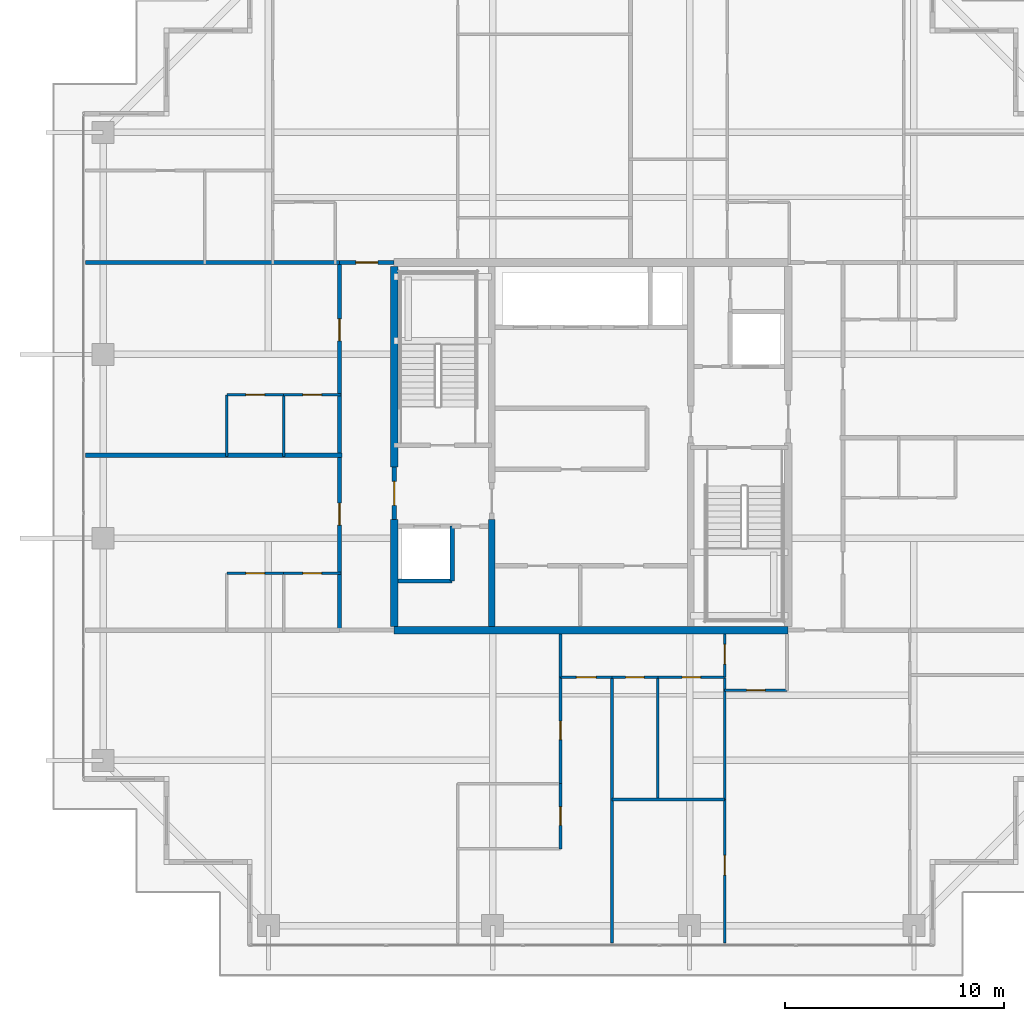
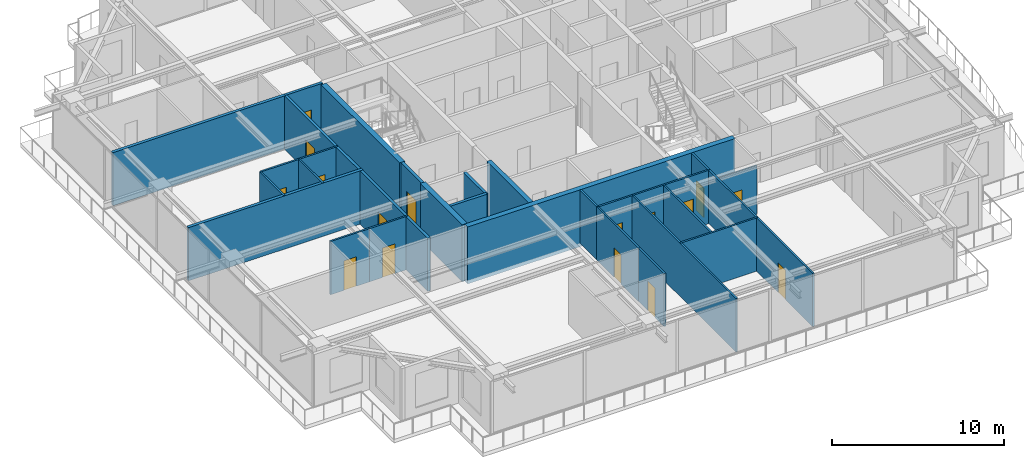
# One storey, part 28 of 39: 30 walls, 16 doors, 16 openings.
"""IFC4 building model written with IfcOpenShell, lengths in metres."""

from ifc_helpers import new_model, si_unit, direction, frame, frame_2d, origin, place, context, subcontext, project, spatial, rectangle, extrude, source, transform, mapped, material, layer, layer_set, type_object, element, fill, save


model = new_model("IFC4")

# Units and contexts
model_context = context("Model", 3, precision=1e-05, world=origin(), true_north=direction((0.0, 1.0)))
body_context = subcontext(model_context, "Body", "Model", "MODEL_VIEW")
ifc_project = project(units=[si_unit("LENGTHUNIT", "METRE"), si_unit("AREAUNIT", "SQUARE_METRE"), si_unit("VOLUMEUNIT", "CUBIC_METRE"), si_unit("PLANEANGLEUNIT", "RADIAN"), si_unit("MASSUNIT", "GRAM", prefix="KILO")], contexts=[model_context])

# Site, building, storey
site_placement = place(None, origin())
site = spatial("IfcSite", under=ifc_project, at=site_placement, CompositionType="ELEMENT")
building_placement = place(site_placement, origin())
building = spatial("IfcBuilding", under=site, at=building_placement, Name="Serunith Strait Residences", CompositionType="ELEMENT")
storey_placement = place(building_placement, frame((0.0, 0.0, 329.89990234375)))
storey = spatial("IfcBuildingStorey", under=building, at=storey_placement, Name="L82", CompositionType="ELEMENT", Elevation=329.89990234375)

# Wall, opening, door
ifc_material_1 = material(Name="Fire-rated acoustic gypsum partition")
ifc_layer_1 = layer(ifc_material_1, 0.179931640625, Name="Fire-rated acoustic gypsum partition")
ifc_layer_set_1 = layer_set([ifc_layer_1], Name="Fire-rated acoustic gypsum partition")
wall_type_1 = type_object("IfcWallType", Name="IW-CORR-180", PredefinedType="PARTITIONING", material=ifc_layer_set_1)
wall_1_placement = place(storey_placement, frame((20.902099609375, 33.60009765625, 0.0), z_axis=(0.0, 0.0, 1.0), x_axis=(1.0, 0.0, 0.0)))
wall_1 = element("IfcWall", 1, at=wall_1_placement, inside=storey, type_object=wall_type_1, Name="L82 Partition Wall 026", PredefinedType="PARTITIONING", context=body_context, shape_type="SweptSolid", body=[
    extrude(rectangle(XDim=2.495849609375, YDim=0.179931640625, at=frame_2d((1.248046875, 0.0))), origin(), (0.0, 0.0, 1.0), 3.7900390625),
])
opening_1_placement = place(wall_1_placement, frame((0.748046875, 0.0, 0.0)))
opening_1 = element("IfcOpeningElement", 2, at=opening_1_placement, cuts=wall_1, Name="Opening D-APT1000", PredefinedType="OPENING", context=body_context, shape_type="SweptSolid", body=[
    extrude(rectangle(XDim=1.0, YDim=2.14990234375, at=frame_2d((0.5, 1.074951171875))), frame((0.0, 0.10009765625, 0.0), z_axis=(0.0, -1.0, 0.0), x_axis=(1.0, 0.0, 0.0)), (0.0, 0.0, 1.0), 0.199951171875),
])
ifc_material_2 = material(Name="Solid timber engineered fire door", Category="wood")
door_type_1 = type_object("IfcDoorType", Name="ID-APT-1000", OperationType="NOTDEFINED", PredefinedType="DOOR", material=ifc_material_2)
shared_shape_1 = source(origin(), body_context, "Body", "SweptSolid", [
    extrude(rectangle(XDim=1.0, YDim=2.14990234375, at=frame_2d((0.5, 1.074951171875))), frame((0.0, 0.02490234375, 0.0), z_axis=(0.0, -1.0, 0.0), x_axis=(1.0, 0.0, 0.0)), (0.0, 0.0, 1.0), 0.050048828125),
])
door_1_placement = place(opening_1_placement, origin())
door_1 = element("IfcDoor", 3, at=door_1_placement, inside=storey, type_object=door_type_1, Name="L82 Unit 02 Entrance Door", OperationType="SINGLE_SWING_LEFT", OverallHeight=2.14990234375, OverallWidth=1.0, PredefinedType="DOOR", context=body_context, shape_type="MappedRepresentation", body=[
    mapped(shared_shape_1, transform((0.0, 0.0, 0.0), scale=1.0)),
])
fill(opening_1, door_1)

# Wall, openings, doors
wall_2_placement = place(storey_placement, frame((20.89990234375, 16.800048828125, 0.0), z_axis=(0.0, 0.0, 1.0), x_axis=(0.0, 1.0, 0.0)))
wall_2 = element("IfcWall", 4, at=wall_2_placement, inside=storey, type_object=wall_type_1, Name="L82 Partition Wall 027", PredefinedType="PARTITIONING", context=body_context, shape_type="SweptSolid", body=[
    extrude(rectangle(XDim=16.800048828125, YDim=0.179931640625, at=frame_2d((8.39990234375, 0.0))), origin(), (0.0, 0.0, 1.0), 3.7900390625),
])
opening_2_placement = place(wall_2_placement, frame((4.802978515625, 0.0, 0.0)))
opening_2 = element("IfcOpeningElement", 5, at=opening_2_placement, cuts=wall_2, Name="Opening D-APT1000", PredefinedType="OPENING", context=body_context, shape_type="SweptSolid", body=[
    extrude(rectangle(XDim=1.0, YDim=2.14990234375, at=frame_2d((0.5, 1.074951171875))), frame((0.0, 0.10009765625, 0.0), z_axis=(0.0, -1.0, 0.0), x_axis=(1.0, 0.0, 0.0)), (0.0, 0.0, 1.0), 0.199951171875),
])
opening_3_placement = place(wall_2_placement, frame((13.22509765625, 0.0, 0.0)))
opening_3 = element("IfcOpeningElement", 6, at=opening_3_placement, cuts=wall_2, Name="Opening D-APT1000", PredefinedType="OPENING", context=body_context, shape_type="SweptSolid", body=[
    extrude(rectangle(XDim=1.0, YDim=2.14990234375, at=frame_2d((0.5, 1.074951171875))), frame((0.0, 0.10009765625, 0.0), z_axis=(0.0, -1.0, 0.0), x_axis=(1.0, 0.0, 0.0)), (0.0, 0.0, 1.0), 0.199951171875),
])
door_2_placement = place(opening_2_placement, origin())
door_2 = element("IfcDoor", 7, at=door_2_placement, inside=storey, type_object=door_type_1, Name="L82 Unit 04 Entrance Door", OperationType="SINGLE_SWING_RIGHT", OverallHeight=2.14990234375, OverallWidth=1.0, PredefinedType="DOOR", context=body_context, shape_type="MappedRepresentation", body=[
    mapped(shared_shape_1, transform((0.0, 0.0, 0.0), scale=1.0)),
])
fill(opening_2, door_2)
door_3_placement = place(opening_3_placement, origin())
door_3 = element("IfcDoor", 8, at=door_3_placement, inside=storey, type_object=door_type_1, Name="L82 Unit 05 Entrance Door", OperationType="SINGLE_SWING_LEFT", OverallHeight=2.14990234375, OverallWidth=1.0, PredefinedType="DOOR", context=body_context, shape_type="MappedRepresentation", body=[
    mapped(shared_shape_1, transform((0.0, 0.0, 0.0), scale=1.0)),
])
fill(opening_3, door_3)

# Wall, opening, door
ifc_material_3 = material(Name="Lightweight steel-stud gypsum partition", Category="steel")
ifc_layer_2 = layer(ifc_material_3, 0.1201171875, Name="Lightweight steel-stud gypsum partition")
ifc_layer_set_2 = layer_set([ifc_layer_2], Name="Lightweight steel-stud gypsum partition")
wall_type_2 = type_object("IfcWallType", Name="IW-PART-120", PredefinedType="PARTITIONING", material=ifc_layer_set_2)
wall_3_placement = place(storey_placement, frame((38.5, 14.050048828125, 0.0), z_axis=(0.0, 0.0, 1.0), x_axis=(1.0, 0.0, 0.0)))
wall_3 = element("IfcWall", 9, at=wall_3_placement, inside=storey, type_object=wall_type_2, Name="L82 Partition Wall 031", PredefinedType="PARTITIONING", context=body_context, shape_type="SweptSolid", body=[
    extrude(rectangle(XDim=2.85009765625, YDim=0.1201171875, at=frame_2d((1.425048828125, 0.0))), origin(), (0.0, 0.0, 1.0), 3.47216796875),
])
opening_4_placement = place(wall_3_placement, frame((1.0, 0.0, 0.0)))
opening_4 = element("IfcOpeningElement", 10, at=opening_4_placement, cuts=wall_3, Name="Opening D-RM850", PredefinedType="OPENING", context=body_context, shape_type="SweptSolid", body=[
    extrude(rectangle(XDim=0.85009765625, YDim=2.10009765625, at=frame_2d((0.425048828125, 1.050048828125))), frame((0.0, 0.070068359375, 0.0), z_axis=(0.0, -1.0, 0.0), x_axis=(1.0, 0.0, 0.0)), (0.0, 0.0, 1.0), 0.14013671875),
])
ifc_material_4 = material(Name="Engineered timber flush study and kitchen door", Category="wood")
door_type_2 = type_object("IfcDoorType", Name="ID-ROOM-850", OperationType="NOTDEFINED", PredefinedType="DOOR", material=ifc_material_4)
shared_shape_2 = source(origin(), body_context, "Body", "SweptSolid", [
    extrude(rectangle(XDim=0.85009765625, YDim=2.10009765625, at=frame_2d((0.425048828125, 1.050048828125))), frame((0.0, 0.02490234375, 0.0), z_axis=(0.0, -1.0, 0.0), x_axis=(1.0, 0.0, 0.0)), (0.0, 0.0, 1.0), 0.050048828125),
])
door_4_placement = place(opening_4_placement, origin())
door_4 = element("IfcDoor", 11, at=door_4_placement, inside=storey, type_object=door_type_2, Name="L82 Kitchen 8201 Door", OperationType="SINGLE_SWING_RIGHT", OverallHeight=2.10009765625, OverallWidth=0.85009765625, PredefinedType="DOOR", context=body_context, shape_type="MappedRepresentation", body=[
    mapped(shared_shape_2, transform((0.0, 0.0, 0.0), scale=1.0)),
])
fill(opening_4, door_4)

wall_4_placement = place(storey_placement, frame((38.5, 14.64990234375, 0.0), z_axis=(0.0, 0.0, 1.0), x_axis=(0.0, 1.0, 0.0)))
wall_4 = element("IfcWall", 12, at=wall_4_placement, inside=storey, type_object=wall_type_2, Name="L82 Partition Wall 033", PredefinedType="PARTITIONING", context=body_context, shape_type="SweptSolid", body=[
    extrude(rectangle(XDim=1.97509765625, YDim=0.1201171875, at=frame_2d((0.987548828125, 0.0))), origin(), (0.0, 0.0, 1.0), 3.7900390625),
])
opening_5_placement = place(wall_4_placement, frame((0.60107421875, 0.0, 0.0)))
opening_5 = element("IfcOpeningElement", 13, at=opening_5_placement, cuts=wall_4, Name="Opening D-RM900", PredefinedType="OPENING", context=body_context, shape_type="SweptSolid", body=[
    extrude(rectangle(XDim=0.89990234375, YDim=2.10009765625, at=frame_2d((0.449951171875, 1.050048828125))), frame((0.0, 0.070068359375, 0.0), z_axis=(0.0, -1.0, 0.0), x_axis=(1.0, 0.0, 0.0)), (0.0, 0.0, 1.0), 0.14013671875),
])
ifc_material_5 = material(Name="Engineered timber flush bedroom door", Category="wood")
door_type_3 = type_object("IfcDoorType", Name="ID-ROOM-900", OperationType="NOTDEFINED", PredefinedType="DOOR", material=ifc_material_5)
shared_shape_3 = source(origin(), body_context, "Body", "SweptSolid", [
    extrude(rectangle(XDim=0.89990234375, YDim=2.10009765625, at=frame_2d((0.449951171875, 1.050048828125))), frame((0.0, 0.02490234375, 0.0), z_axis=(0.0, -1.0, 0.0), x_axis=(1.0, 0.0, 0.0)), (0.0, 0.0, 1.0), 0.050048828125),
])
door_5_placement = place(opening_5_placement, origin())
door_5 = element("IfcDoor", 14, at=door_5_placement, inside=storey, type_object=door_type_3, Name="L82 Hall W 8201 Door", OperationType="SINGLE_SWING_LEFT", OverallHeight=2.10009765625, OverallWidth=0.89990234375, PredefinedType="DOOR", context=body_context, shape_type="MappedRepresentation", body=[
    mapped(shared_shape_3, transform((0.0, 0.0, 0.0), scale=1.0)),
])
fill(opening_5, door_5)

wall_5_placement = place(storey_placement, frame((38.5, 2.4951171875, 0.0), z_axis=(0.0, 0.0, 1.0), x_axis=(0.0, 1.0, 0.0)))
wall_5 = element("IfcWall", 15, at=wall_5_placement, inside=storey, type_object=wall_type_2, Name="L82 Partition Wall 034", PredefinedType="PARTITIONING", context=body_context, shape_type="SweptSolid", body=[
    extrude(rectangle(XDim=6.56787109375, YDim=0.1201171875, at=frame_2d((3.283935546875, 0.0))), origin(), (0.0, 0.0, 1.0), 3.7900390625),
])
opening_6_placement = place(wall_5_placement, frame((3.116943359375, 0.0, 0.0)))
opening_6 = element("IfcOpeningElement", 16, at=opening_6_placement, cuts=wall_5, Name="Opening D-RM900", PredefinedType="OPENING", context=body_context, shape_type="SweptSolid", body=[
    extrude(rectangle(XDim=0.89990234375, YDim=2.10009765625, at=frame_2d((0.449951171875, 1.050048828125))), frame((0.0, 0.070068359375, 0.0), z_axis=(0.0, -1.0, 0.0), x_axis=(1.0, 0.0, 0.0)), (0.0, 0.0, 1.0), 0.14013671875),
])
door_6_placement = place(opening_6_placement, origin())
door_6 = element("IfcDoor", 17, at=door_6_placement, inside=storey, type_object=door_type_3, Name="L82 Formal Dining Room 1 8201 Door", OperationType="SINGLE_SWING_RIGHT", OverallHeight=2.10009765625, OverallWidth=0.89990234375, PredefinedType="DOOR", context=body_context, shape_type="MappedRepresentation", body=[
    mapped(shared_shape_3, transform((0.0, 0.0, 0.0), scale=1.0)),
])
fill(opening_6, door_6)

# Walls
wall_6_placement = place(storey_placement, frame((38.5, 9.06494140625, 0.0), z_axis=(0.0, 0.0, 1.0), x_axis=(0.0, 1.0, 0.0)))
element("IfcWall", 18, at=wall_6_placement, inside=storey, type_object=wall_type_2, Name="L82 Partition Wall 035", PredefinedType="PARTITIONING", context=body_context, shape_type="SweptSolid", body=[
    extrude(rectangle(XDim=5.5830078125, YDim=0.1201171875, at=frame_2d((2.79150390625, 0.0))), origin(), (0.0, 0.0, 1.0), 3.7900390625),
])
wall_7_placement = place(storey_placement, frame((33.35009765625, 9.06298828125, 0.0), z_axis=(0.0, 0.0, 1.0), x_axis=(1.0, 0.0, 0.0)))
element("IfcWall", 19, at=wall_7_placement, inside=storey, type_object=wall_type_2, Name="L82 Partition Wall 036", PredefinedType="PARTITIONING", context=body_context, shape_type="SweptSolid", body=[
    extrude(rectangle(XDim=5.14990234375, YDim=0.1201171875, at=frame_2d((2.574951171875, 0.0))), origin(), (0.0, 0.0, 1.0), 3.7900390625),
])
wall_8_placement = place(storey_placement, frame((33.35009765625, 2.4951171875, 0.0), z_axis=(0.0, 0.0, 1.0), x_axis=(0.0, 1.0, 0.0)))
element("IfcWall", 20, at=wall_8_placement, inside=storey, type_object=wall_type_2, Name="L82 Partition Wall 037", PredefinedType="PARTITIONING", context=body_context, shape_type="SweptSolid", body=[
    extrude(rectangle(XDim=12.15478515625, YDim=0.1201171875, at=frame_2d((6.077392578125, 0.0))), origin(), (0.0, 0.0, 1.0), 3.7900390625),
])
wall_9_placement = place(storey_placement, frame((35.449951171875, 9.06298828125, 0.0), z_axis=(0.0, 0.0, 1.0), x_axis=(0.0, 1.0, 0.0)))
element("IfcWall", 21, at=wall_9_placement, inside=storey, type_object=wall_type_2, Name="L82 Partition Wall 038", PredefinedType="PARTITIONING", context=body_context, shape_type="SweptSolid", body=[
    extrude(rectangle(XDim=5.5869140625, YDim=0.1201171875, at=frame_2d((2.79345703125, 0.0))), origin(), (0.0, 0.0, 1.0), 3.7900390625),
])

# Wall, opening, door
wall_10_placement = place(storey_placement, frame((33.35009765625, 14.64990234375, 0.0), z_axis=(0.0, 0.0, 1.0), x_axis=(1.0, 0.0, 0.0)))
wall_10 = element("IfcWall", 22, at=wall_10_placement, inside=storey, type_object=wall_type_2, Name="L82 Partition Wall 039", PredefinedType="PARTITIONING", context=body_context, shape_type="SweptSolid", body=[
    extrude(rectangle(XDim=2.099853515625, YDim=0.1201171875, at=frame_2d((1.0498046875, 0.0))), origin(), (0.0, 0.0, 1.0), 3.7900390625),
])
opening_7_placement = place(wall_10_placement, frame((0.625, 0.0, 0.0)))
opening_7 = element("IfcOpeningElement", 23, at=opening_7_placement, cuts=wall_10, Name="Opening D-BTH850", PredefinedType="OPENING", context=body_context, shape_type="SweptSolid", body=[
    extrude(rectangle(XDim=0.85009765625, YDim=2.10009765625, at=frame_2d((0.425048828125, 1.050048828125))), frame((0.0, 0.070068359375, 0.0), z_axis=(0.0, -1.0, 0.0), x_axis=(1.0, 0.0, 0.0)), (0.0, 0.0, 1.0), 0.14013671875),
])
ifc_material_6 = material(Name="Moisture-resistant timber bathroom door", Category="wood")
door_type_4 = type_object("IfcDoorType", Name="ID-BATH-850", OperationType="NOTDEFINED", PredefinedType="DOOR", material=ifc_material_6)
door_7_placement = place(opening_7_placement, origin())
door_7 = element("IfcDoor", 24, at=door_7_placement, inside=storey, type_object=door_type_4, Name="L82 Bathroom 8201 Door", OperationType="SINGLE_SWING_LEFT", OverallHeight=2.10009765625, OverallWidth=0.85009765625, PredefinedType="DOOR", context=body_context, shape_type="MappedRepresentation", body=[
    mapped(shared_shape_2, transform((0.0, 0.0, 0.0), scale=1.0)),
])
fill(opening_7, door_7)

wall_11_placement = place(storey_placement, frame((35.451904296875, 14.64990234375, 0.0), z_axis=(0.0, 0.0, 1.0), x_axis=(1.0, 0.0, 0.0)))
wall_11 = element("IfcWall", 25, at=wall_11_placement, inside=storey, type_object=wall_type_2, Name="L82 Partition Wall 040", PredefinedType="PARTITIONING", context=body_context, shape_type="SweptSolid", body=[
    extrude(rectangle(XDim=3.048095703125, YDim=0.1201171875, at=frame_2d((1.52392578125, 0.0))), origin(), (0.0, 0.0, 1.0), 3.7900390625),
])
opening_8_placement = place(wall_11_placement, frame((1.09912109375, 0.0, 0.0)))
opening_8 = element("IfcOpeningElement", 26, at=opening_8_placement, cuts=wall_11, Name="Opening D-RM850", PredefinedType="OPENING", context=body_context, shape_type="SweptSolid", body=[
    extrude(rectangle(XDim=0.85009765625, YDim=2.10009765625, at=frame_2d((0.425048828125, 1.050048828125))), frame((0.0, 0.070068359375, 0.0), z_axis=(0.0, -1.0, 0.0), x_axis=(1.0, 0.0, 0.0)), (0.0, 0.0, 1.0), 0.14013671875),
])
door_8_placement = place(opening_8_placement, origin())
door_8 = element("IfcDoor", 27, at=door_8_placement, inside=storey, type_object=door_type_2, Name="L82 Formal Dining Room 8201 Door", OperationType="SINGLE_SWING_RIGHT", OverallHeight=2.10009765625, OverallWidth=0.85009765625, PredefinedType="DOOR", context=body_context, shape_type="MappedRepresentation", body=[
    mapped(shared_shape_2, transform((0.0, 0.0, 0.0), scale=1.0)),
])
fill(opening_8, door_8)

wall_12_placement = place(storey_placement, frame((31.0, 14.64990234375, 0.0), z_axis=(0.0, 0.0, 1.0), x_axis=(1.0, 0.0, 0.0)))
wall_12 = element("IfcWall", 28, at=wall_12_placement, inside=storey, type_object=wall_type_2, Name="L82 Partition Wall 041", PredefinedType="PARTITIONING", context=body_context, shape_type="SweptSolid", body=[
    extrude(rectangle(XDim=2.347900390625, YDim=0.1201171875, at=frame_2d((1.173828125, 0.0))), origin(), (0.0, 0.0, 1.0), 3.7900390625),
])
opening_9_placement = place(wall_12_placement, frame((0.72412109375, 0.0, 0.0)))
opening_9 = element("IfcOpeningElement", 29, at=opening_9_placement, cuts=wall_12, Name="Opening D-RM900", PredefinedType="OPENING", context=body_context, shape_type="SweptSolid", body=[
    extrude(rectangle(XDim=0.89990234375, YDim=2.10009765625, at=frame_2d((0.449951171875, 1.050048828125))), frame((0.0, 0.070068359375, 0.0), z_axis=(0.0, -1.0, 0.0), x_axis=(1.0, 0.0, 0.0)), (0.0, 0.0, 1.0), 0.14013671875),
])
door_9_placement = place(opening_9_placement, origin())
door_9 = element("IfcDoor", 30, at=door_9_placement, inside=storey, type_object=door_type_3, Name="L82 Master Bedroom W 8201 Door", OperationType="SINGLE_SWING_LEFT", OverallHeight=2.10009765625, OverallWidth=0.89990234375, PredefinedType="DOOR", context=body_context, shape_type="MappedRepresentation", body=[
    mapped(shared_shape_3, transform((0.0, 0.0, 0.0), scale=1.0)),
])
fill(opening_9, door_9)

wall_13_placement = place(storey_placement, frame((31.0, 6.81201171875, 0.0), z_axis=(0.0, 0.0, 1.0), x_axis=(0.0, 1.0, 0.0)))
wall_13 = element("IfcWall", 31, at=wall_13_placement, inside=storey, type_object=wall_type_2, Name="L82 Partition Wall 045", PredefinedType="PARTITIONING", context=body_context, shape_type="SweptSolid", body=[
    extrude(rectangle(XDim=2.97900390625, YDim=0.1201171875, at=frame_2d((1.489501953125, 0.0))), origin(), (0.0, 0.0, 1.0), 3.7900390625),
])
opening_10_placement = place(wall_13_placement, frame((1.06494140625, 0.0, 0.0)))
opening_10 = element("IfcOpeningElement", 32, at=opening_10_placement, cuts=wall_13, Name="Opening D-BTH850", PredefinedType="OPENING", context=body_context, shape_type="SweptSolid", body=[
    extrude(rectangle(XDim=0.85009765625, YDim=2.10009765625, at=frame_2d((0.425048828125, 1.050048828125))), frame((0.0, 0.070068359375, 0.0), z_axis=(0.0, -1.0, 0.0), x_axis=(1.0, 0.0, 0.0)), (0.0, 0.0, 1.0), 0.14013671875),
])
door_10_placement = place(opening_10_placement, origin())
door_10 = element("IfcDoor", 33, at=door_10_placement, inside=storey, type_object=door_type_4, Name="L82 En-suite Bathroom W 8201 Door", OperationType="SINGLE_SWING_RIGHT", OverallHeight=2.10009765625, OverallWidth=0.85009765625, PredefinedType="DOOR", context=body_context, shape_type="MappedRepresentation", body=[
    mapped(shared_shape_2, transform((0.0, 0.0, 0.0), scale=1.0)),
])
fill(opening_10, door_10)

wall_14_placement = place(storey_placement, frame((31.0, 9.79296875, 0.0), z_axis=(0.0, 0.0, 1.0), x_axis=(0.0, 1.0, 0.0)))
wall_14 = element("IfcWall", 34, at=wall_14_placement, inside=storey, type_object=wall_type_2, Name="L82 Partition Wall 046", PredefinedType="PARTITIONING", context=body_context, shape_type="SweptSolid", body=[
    extrude(rectangle(XDim=4.85693359375, YDim=0.1201171875, at=frame_2d((2.428466796875, 0.0))), origin(), (0.0, 0.0, 1.0), 3.7900390625),
])
opening_11_placement = place(wall_14_placement, frame((2.00390625, 0.0, 0.0)))
opening_11 = element("IfcOpeningElement", 35, at=opening_11_placement, cuts=wall_14, Name="Opening D-RM850", PredefinedType="OPENING", context=body_context, shape_type="SweptSolid", body=[
    extrude(rectangle(XDim=0.85009765625, YDim=2.10009765625, at=frame_2d((0.425048828125, 1.050048828125))), frame((0.0, 0.070068359375, 0.0), z_axis=(0.0, -1.0, 0.0), x_axis=(1.0, 0.0, 0.0)), (0.0, 0.0, 1.0), 0.14013671875),
])
door_11_placement = place(opening_11_placement, origin())
door_11 = element("IfcDoor", 36, at=door_11_placement, inside=storey, type_object=door_type_2, Name="L82 Wardrobe W 8201 Door", OperationType="SINGLE_SWING_LEFT", OverallHeight=2.10009765625, OverallWidth=0.85009765625, PredefinedType="DOOR", context=body_context, shape_type="MappedRepresentation", body=[
    mapped(shared_shape_2, transform((0.0, 0.0, 0.0), scale=1.0)),
])
fill(opening_11, door_11)

# Wall
wall_15_placement = place(storey_placement, frame((31.0, 14.652099609375, 0.0), z_axis=(0.0, 0.0, 1.0), x_axis=(0.0, 1.0, 0.0)))
element("IfcWall", 37, at=wall_15_placement, inside=storey, type_object=wall_type_2, Name="L82 Partition Wall 047", PredefinedType="PARTITIONING", context=body_context, shape_type="SweptSolid", body=[
    extrude(rectangle(XDim=1.972900390625, YDim=0.1201171875, at=frame_2d((0.986328125, 0.0))), origin(), (0.0, 0.0, 1.0), 3.7900390625),
])

# Wall, opening, door
wall_16_placement = place(storey_placement, frame((15.75, 19.39990234375, 0.0), z_axis=(0.0, 0.0, 1.0), x_axis=(1.0, 0.0, 0.0)))
wall_16 = element("IfcWall", 38, at=wall_16_placement, inside=storey, type_object=wall_type_2, Name="L82 Partition Wall 075", PredefinedType="PARTITIONING", context=body_context, shape_type="SweptSolid", body=[
    extrude(rectangle(XDim=2.60009765625, YDim=0.1201171875, at=frame_2d((1.300048828125, 0.0))), origin(), (0.0, 0.0, 1.0), 3.7900390625),
])
opening_12_placement = place(wall_16_placement, frame((0.875, 0.0, 0.0)))
opening_12 = element("IfcOpeningElement", 39, at=opening_12_placement, cuts=wall_16, Name="Opening D-RM850", PredefinedType="OPENING", context=body_context, shape_type="SweptSolid", body=[
    extrude(rectangle(XDim=0.85009765625, YDim=2.10009765625, at=frame_2d((0.425048828125, 1.050048828125))), frame((0.0, 0.070068359375, 0.0), z_axis=(0.0, -1.0, 0.0), x_axis=(1.0, 0.0, 0.0)), (0.0, 0.0, 1.0), 0.14013671875),
])
door_12_placement = place(opening_12_placement, origin())
door_12 = element("IfcDoor", 40, at=door_12_placement, inside=storey, type_object=door_type_2, Name="L82 Kitchen 8204 Door", OperationType="SINGLE_SWING_RIGHT", OverallHeight=2.10009765625, OverallWidth=0.85009765625, PredefinedType="DOOR", context=body_context, shape_type="MappedRepresentation", body=[
    mapped(shared_shape_2, transform((0.0, 0.0, 0.0), scale=1.0)),
])
fill(opening_12, door_12)

wall_17_placement = place(storey_placement, frame((18.35205078125, 19.39990234375, 0.0), z_axis=(0.0, 0.0, 1.0), x_axis=(1.0, 0.0, 0.0)))
wall_17 = element("IfcWall", 41, at=wall_17_placement, inside=storey, type_object=wall_type_2, Name="L82 Partition Wall 076", PredefinedType="PARTITIONING", context=body_context, shape_type="SweptSolid", body=[
    extrude(rectangle(XDim=2.60791015625, YDim=0.1201171875, at=frame_2d((1.303955078125, 0.0))), origin(), (0.0, 0.0, 1.0), 3.7900390625),
])
opening_13_placement = place(wall_17_placement, frame((0.87890625, 0.0, 0.0)))
opening_13 = element("IfcOpeningElement", 42, at=opening_13_placement, cuts=wall_17, Name="Opening D-BTH850", PredefinedType="OPENING", context=body_context, shape_type="SweptSolid", body=[
    extrude(rectangle(XDim=0.85009765625, YDim=2.10009765625, at=frame_2d((0.425048828125, 1.050048828125))), frame((0.0, 0.070068359375, 0.0), z_axis=(0.0, -1.0, 0.0), x_axis=(1.0, 0.0, 0.0)), (0.0, 0.0, 1.0), 0.14013671875),
])
door_13_placement = place(opening_13_placement, origin())
door_13 = element("IfcDoor", 43, at=door_13_placement, inside=storey, type_object=door_type_4, Name="L82 Bathroom 8204 Door", OperationType="SINGLE_SWING_LEFT", OverallHeight=2.10009765625, OverallWidth=0.85009765625, PredefinedType="DOOR", context=body_context, shape_type="MappedRepresentation", body=[
    mapped(shared_shape_2, transform((0.0, 0.0, 0.0), scale=1.0)),
])
fill(opening_13, door_13)

wall_18_placement = place(storey_placement, frame((15.75, 27.550048828125, 0.0), z_axis=(0.0, 0.0, 1.0), x_axis=(1.0, 0.0, 0.0)))
wall_18 = element("IfcWall", 44, at=wall_18_placement, inside=storey, type_object=wall_type_2, Name="L82 Partition Wall 079", PredefinedType="PARTITIONING", context=body_context, shape_type="SweptSolid", body=[
    extrude(rectangle(XDim=2.60009765625, YDim=0.1201171875, at=frame_2d((1.300048828125, 0.0))), origin(), (0.0, 0.0, 1.0), 3.7900390625),
])
opening_14_placement = place(wall_18_placement, frame((0.875, 0.0, 0.0)))
opening_14 = element("IfcOpeningElement", 45, at=opening_14_placement, cuts=wall_18, Name="Opening D-RM850", PredefinedType="OPENING", context=body_context, shape_type="SweptSolid", body=[
    extrude(rectangle(XDim=0.85009765625, YDim=2.10009765625, at=frame_2d((0.425048828125, 1.050048828125))), frame((0.0, 0.070068359375, 0.0), z_axis=(0.0, -1.0, 0.0), x_axis=(1.0, 0.0, 0.0)), (0.0, 0.0, 1.0), 0.14013671875),
])
door_14_placement = place(opening_14_placement, origin())
door_14 = element("IfcDoor", 46, at=door_14_placement, inside=storey, type_object=door_type_2, Name="L82 Kitchen 8205 Door", OperationType="SINGLE_SWING_RIGHT", OverallHeight=2.10009765625, OverallWidth=0.85009765625, PredefinedType="DOOR", context=body_context, shape_type="MappedRepresentation", body=[
    mapped(shared_shape_2, transform((0.0, 0.0, 0.0), scale=1.0)),
])
fill(opening_14, door_14)

wall_19_placement = place(storey_placement, frame((18.35205078125, 27.550048828125, 0.0), z_axis=(0.0, 0.0, 1.0), x_axis=(1.0, 0.0, 0.0)))
wall_19 = element("IfcWall", 47, at=wall_19_placement, inside=storey, type_object=wall_type_2, Name="L82 Partition Wall 080", PredefinedType="PARTITIONING", context=body_context, shape_type="SweptSolid", body=[
    extrude(rectangle(XDim=2.60791015625, YDim=0.1201171875, at=frame_2d((1.303955078125, 0.0))), origin(), (0.0, 0.0, 1.0), 3.7900390625),
])
opening_15_placement = place(wall_19_placement, frame((0.87890625, 0.0, 0.0)))
opening_15 = element("IfcOpeningElement", 48, at=opening_15_placement, cuts=wall_19, Name="Opening D-BTH850", PredefinedType="OPENING", context=body_context, shape_type="SweptSolid", body=[
    extrude(rectangle(XDim=0.85009765625, YDim=2.10009765625, at=frame_2d((0.425048828125, 1.050048828125))), frame((0.0, 0.070068359375, 0.0), z_axis=(0.0, -1.0, 0.0), x_axis=(1.0, 0.0, 0.0)), (0.0, 0.0, 1.0), 0.14013671875),
])
door_15_placement = place(opening_15_placement, origin())
door_15 = element("IfcDoor", 49, at=door_15_placement, inside=storey, type_object=door_type_4, Name="L82 Bathroom 8205 Door", OperationType="SINGLE_SWING_LEFT", OverallHeight=2.10009765625, OverallWidth=0.85009765625, PredefinedType="DOOR", context=body_context, shape_type="MappedRepresentation", body=[
    mapped(shared_shape_2, transform((0.0, 0.0, 0.0), scale=1.0)),
])
fill(opening_15, door_15)

# Walls
for number, where, z_axis, x_axis, name in (
    (50, (18.35009765625, 24.739990234375, 0.0), (0.0, 0.0, 1.0), (0.0, 1.0, 0.0), "L82 Partition Wall 081"),
    (51, (15.75, 24.739990234375, 0.0), (0.0, 0.0, 1.0), (0.0, 1.0, 0.0), "L82 Partition Wall 082"),
):
    element("IfcWall", number, at=place(storey_placement, frame(where, z_axis=z_axis, x_axis=x_axis)), inside=storey, type_object=wall_type_2, Name=name, PredefinedType="PARTITIONING", context=body_context, shape_type="SweptSolid", body=[
        extrude(rectangle(XDim=2.81005859375, YDim=0.1201171875, at=frame_2d((1.405029296875, 0.0))), origin(), (0.0, 0.0, 1.0), 3.7900390625),
    ])
ifc_material_7 = material(Name="Twin-stud acoustic gypsum board partition")
ifc_layer_3 = layer(ifc_material_7, 0.199951171875, Name="Twin-stud acoustic gypsum board partition")
ifc_layer_set_3 = layer_set([ifc_layer_3], Name="Twin-stud acoustic gypsum board partition")
wall_type_3 = type_object("IfcWallType", Name="IW-PARTY-200", PredefinedType="PARTITIONING", material=ifc_layer_set_3)
wall_20_placement = place(storey_placement, frame((9.281982421875, 24.800048828125, 0.0), z_axis=(0.0, 0.0, 1.0), x_axis=(1.0, 0.0, 0.0)))
element("IfcWall", 52, at=wall_20_placement, inside=storey, type_object=wall_type_3, Name="L82 Partition Wall 019", PredefinedType="PARTITIONING", context=body_context, shape_type="SweptSolid", body=[
    extrude(rectangle(XDim=11.738037109375, YDim=0.199951171875, at=frame_2d((5.869140625, 0.0))), origin(), (0.0, 0.0, 1.0), 3.7900390625),
])
wall_21_placement = place(storey_placement, frame((9.281982421875, 33.60009765625, 0.0), z_axis=(0.0, 0.0, 1.0), x_axis=(1.0, 0.0, 0.0)))
element("IfcWall", 53, at=wall_21_placement, inside=storey, type_object=wall_type_3, Name="L82 Partition Wall 023", PredefinedType="PARTITIONING", context=body_context, shape_type="SweptSolid", body=[
    extrude(rectangle(XDim=11.617919921875, YDim=0.199951171875, at=frame_2d((5.80908203125, 0.0))), origin(), (0.0, 0.0, 1.0), 3.7900390625),
])
ifc_material_8 = material(Name="Autoclaved aerated concrete blockwork", Category="masonry")
ifc_layer_4 = layer(ifc_material_8, 0.199951171875, Name="Autoclaved aerated concrete blockwork")
ifc_layer_set_4 = layer_set([ifc_layer_4], Name="Autoclaved aerated concrete blockwork")
wall_type_4 = type_object("IfcWallType", Name="IW-SHAFT-200", PredefinedType="STANDARD", material=ifc_layer_set_4)
wall_22_placement = place(storey_placement, frame((26.050048828125, 19.050048828125, 0.0), z_axis=(0.0, 0.0, 1.0), x_axis=(0.0, 1.0, 0.0)))
element("IfcWall", 54, at=wall_22_placement, inside=storey, type_object=wall_type_4, Name="L82 Partition Wall 001", PredefinedType="STANDARD", context=body_context, shape_type="SweptSolid", body=[
    extrude(rectangle(XDim=2.5, YDim=0.199951171875, at=frame_2d((1.25, 0.0))), origin(), (0.0, 0.0, 1.0), 3.7900390625),
])
wall_23_placement = place(storey_placement, frame((23.574951171875, 19.050048828125, 0.0), z_axis=(0.0, 0.0, 1.0), x_axis=(1.0, 0.0, 0.0)))
element("IfcWall", 55, at=wall_23_placement, inside=storey, type_object=wall_type_4, Name="L82 Partition Wall 002", PredefinedType="STANDARD", context=body_context, shape_type="SweptSolid", body=[
    extrude(rectangle(XDim=2.47509765625, YDim=0.199951171875, at=frame_2d((1.237548828125, 0.0))), origin(), (0.0, 0.0, 1.0), 3.7900390625),
])

# Wall, opening, door
wall_24_placement = place(storey_placement, frame((23.39990234375, 21.85205078125, 0.0), z_axis=(0.0, 0.0, 1.0), x_axis=(0.0, 1.0, 0.0)))
wall_24 = element("IfcWall", 56, at=wall_24_placement, inside=storey, type_object=wall_type_4, Name="L82 Partition Wall 007", PredefinedType="STANDARD", context=body_context, shape_type="SweptSolid", body=[
    extrude(rectangle(XDim=2.39599609375, YDim=0.199951171875, at=frame_2d((1.197998046875, 0.0))), origin(), (0.0, 0.0, 1.0), 3.7900390625),
])
opening_16_placement = place(wall_24_placement, frame((0.64794921875, 0.0, 0.0)))
opening_16 = element("IfcOpeningElement", 57, at=opening_16_placement, cuts=wall_24, Name="Opening FD-FFL", PredefinedType="OPENING", context=body_context, shape_type="SweptSolid", body=[
    extrude(rectangle(XDim=1.10009765625, YDim=2.14990234375, at=frame_2d((0.550048828125, 1.074951171875))), frame((0.0, 0.10986328125, 0.0), z_axis=(0.0, -1.0, 0.0), x_axis=(1.0, 0.0, 0.0)), (0.0, 0.0, 1.0), 0.219970703125),
])
ifc_material_9 = material(Name="Glazed steel smoke-lobby fire door", Category="steel")
door_type_5 = type_object("IfcDoorType", Name="FD-FFL-1100", OperationType="NOTDEFINED", PredefinedType="DOOR", material=ifc_material_9)
shared_shape_4 = source(origin(), body_context, "Body", "SweptSolid", [
    extrude(rectangle(XDim=1.10009765625, YDim=2.14990234375, at=frame_2d((0.550048828125, 1.074951171875))), frame((0.0, 0.02490234375, 0.0), z_axis=(0.0, -1.0, 0.0), x_axis=(1.0, 0.0, 0.0)), (0.0, 0.0, 1.0), 0.050048828125),
])
door_16_placement = place(opening_16_placement, origin())
door_16 = element("IfcDoor", 58, at=door_16_placement, inside=storey, type_object=door_type_5, Name="L82 FFL-1 Corridor Fire Door", OperationType="SINGLE_SWING_LEFT", OverallHeight=2.14990234375, OverallWidth=1.10009765625, PredefinedType="DOOR", context=body_context, shape_type="MappedRepresentation", body=[
    mapped(shared_shape_4, transform((0.0, 0.0, 0.0), scale=1.0)),
])
fill(opening_16, door_16)

# Walls
ifc_material_10 = material(Name="Concrete C60/75", Category="concrete")
ifc_layer_5 = layer(ifc_material_10, 0.300048828125, Name="Concrete C60/75")
ifc_layer_set_5 = layer_set([ifc_layer_5], Name="Concrete C60/75")
wall_type_5 = type_object("IfcWallType", Name="SW-300-C60", PredefinedType="SHEAR", material=ifc_layer_set_5)
wall_25_placement = place(storey_placement, frame((27.85009765625, 16.97509765625, -0.260009765625), z_axis=(0.0, 0.0, 1.0), x_axis=(0.0, 1.0, 0.0)))
element("IfcWall", 59, at=wall_25_placement, inside=storey, type_object=wall_type_5, Name="L82 Core Internal West Web South Pier", PredefinedType="SHEAR", context=body_context, shape_type="SweptSolid", body=[
    extrude(rectangle(XDim=4.875, YDim=0.300048828125, at=frame_2d((2.4375, 0.0))), origin(), (0.0, 0.0, 1.0), 4.048095703125),
])
ifc_layer_6 = layer(ifc_material_10, 0.35009765625, Name="Concrete C60/75")
ifc_layer_set_6 = layer_set([ifc_layer_6], Name="Concrete C60/75")
wall_type_6 = type_object("IfcWallType", Name="SW-350-C60", PredefinedType="SHEAR", material=ifc_layer_set_6)
wall_26_placement = place(storey_placement, frame((23.39990234375, 16.800048828125, -0.260009765625), z_axis=(0.0, 0.0, 1.0), x_axis=(1.0, 0.0, 0.0)))
element("IfcWall", 60, at=wall_26_placement, inside=storey, type_object=wall_type_6, Name="L82 Core South Shear Wall", PredefinedType="SHEAR", context=body_context, shape_type="SweptSolid", body=[
    extrude(rectangle(XDim=18.0, YDim=0.35009765625, at=frame_2d((9.0, 0.0))), origin(), (0.0, 0.0, 1.0), 4.048095703125),
])
wall_27_placement = place(storey_placement, frame((23.39990234375, 16.97509765625, -0.260009765625), z_axis=(0.0, 0.0, 1.0), x_axis=(0.0, 1.0, 0.0)))
element("IfcWall", 61, at=wall_27_placement, inside=storey, type_object=wall_type_6, Name="L82 Core West Shear Wall South Pier", PredefinedType="SHEAR", context=body_context, shape_type="SweptSolid", body=[
    extrude(rectangle(XDim=4.875, YDim=0.35009765625, at=frame_2d((2.4375, 0.0))), origin(), (0.0, 0.0, 1.0), 4.048095703125),
])
wall_28_placement = place(storey_placement, frame((23.39990234375, 24.25, -0.260009765625), z_axis=(0.0, 0.0, 1.0), x_axis=(0.0, 1.0, 0.0)))
element("IfcWall", 62, at=wall_28_placement, inside=storey, type_object=wall_type_6, Name="L82 Core West Shear Wall North Pier", PredefinedType="SHEAR", context=body_context, shape_type="SweptSolid", body=[
    extrude(rectangle(XDim=9.175048828125, YDim=0.35009765625, at=frame_2d((4.58740234375, 0.0))), origin(), (0.0, 0.0, 1.0), 4.048095703125),
])

save(model, "model.ifc")
